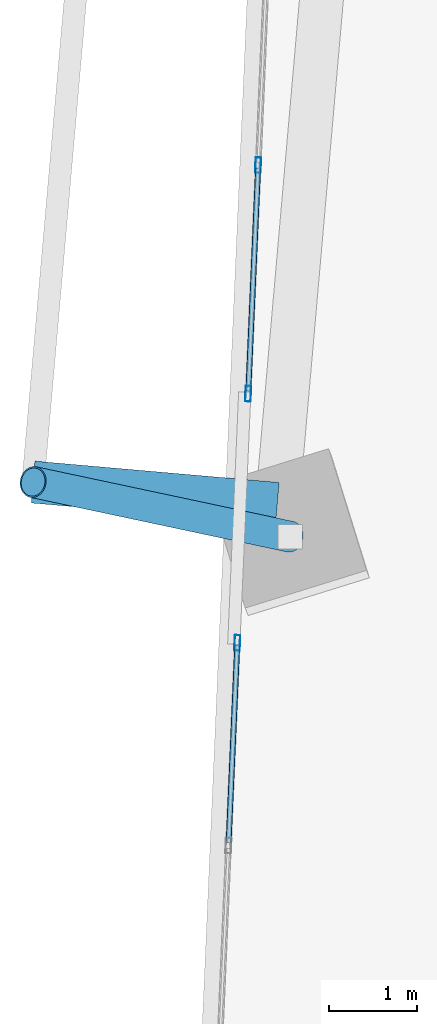
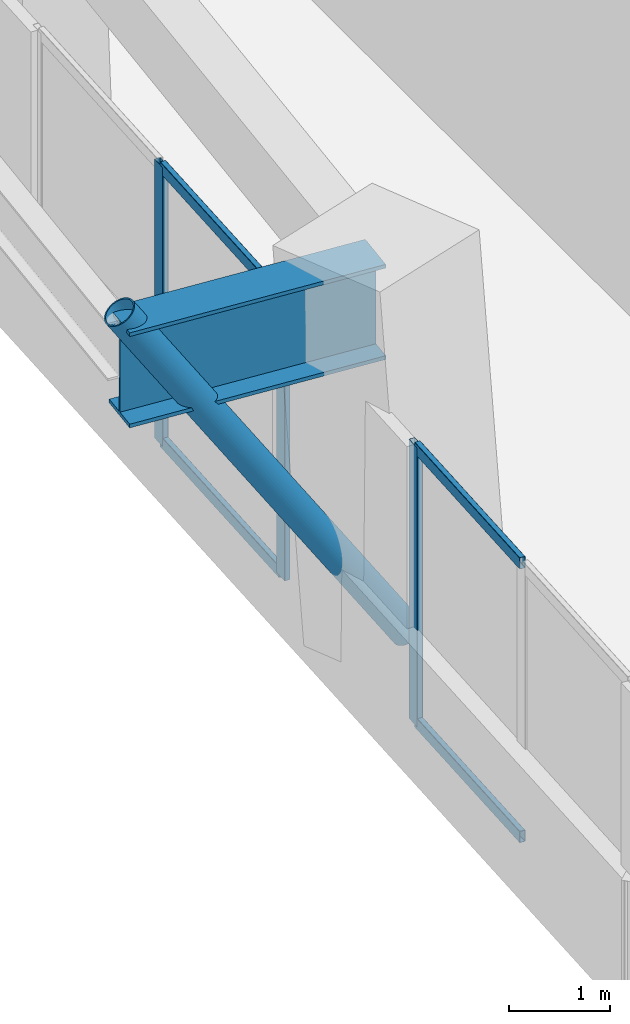
# One storey, part 4 of 26: 8 members, 1 beam, 2 elements without a shape of their own.
"""IFC4 building model written with IfcOpenShell, lengths in metres."""

import ifcopenshell
import ifcopenshell.guid

model = None  # the IFC model being written
_history = None  # IfcOwnerHistory: only IFC2X3 demands one
_inside = {}  # id of a spatial element -> (the spatial element, [elements in it])
_under = {}  # id of a project, library or spatial element -> (it, [spatial elements below it])
_declared = {}  # id of a project -> (the project, [libraries it declares])
_typed = {}  # id of a type object -> (the type object, [elements of that type])
_made_of = {}  # id of a material, layer set ... -> (it, [elements and type objects made of it])


def new_model(schema):
    """Start an empty IFC model of exactly this schema.

    Asked for "IFC4X3", IfcOpenShell would pick the latest addendum, in which some entities
    have other attributes; the version numbers below select the first issue.
    IFC2X3 requires an IfcOwnerHistory on every rooted entity: one is made here for all.
    """
    global model, _history
    if schema == "IFC4X3":
        model = ifcopenshell.file(schema_version=(4, 3, 0, 0))
    else:
        model = ifcopenshell.file(schema=schema)
    _inside.clear()
    _under.clear()
    _declared.clear()
    _typed.clear()
    _made_of.clear()
    _history = None
    if model.schema == "IFC2X3":
        org = make("IfcOrganization", Name="unknown")
        user = make(
            "IfcPersonAndOrganization",
            ThePerson=make("IfcPerson", FamilyName="unknown"),
            TheOrganization=org,
        )
        app = make(
            "IfcApplication",
            ApplicationDeveloper=org,
            Version="unknown",
            ApplicationFullName="unknown",
            ApplicationIdentifier="unknown",
        )
        _history = make(
            "IfcOwnerHistory",
            OwningUser=user,
            OwningApplication=app,
            ChangeAction="ADDED",
            CreationDate=0,
        )
    return model


def make(cls, **values):
    """One entity of the class cls with the attributes given. An attribute that is None is left unset."""
    return model.create_entity(
        cls, **{name: value for name, value in values.items() if value is not None}
    )


def rooted(cls, **values):
    """An entity with a GlobalId (a new one), such as an element, a storey or a relation."""
    return make(cls, GlobalId=ifcopenshell.guid.new(), OwnerHistory=_history, **values)


def si_unit(unit_type, name, prefix=None):
    """IfcSIUnit, for example si_unit("LENGTHUNIT", "METRE", prefix="MILLI")."""
    return make("IfcSIUnit", UnitType=unit_type, Prefix=prefix, Name=name)


def assignment(units):
    """IfcUnitAssignment: the units of a project."""
    return None if units is None else make("IfcUnitAssignment", Units=units)


def point(xyz):
    """IfcCartesianPoint."""
    return None if xyz is None else make("IfcCartesianPoint", Coordinates=xyz)


def direction(xyz):
    """IfcDirection."""
    return None if xyz is None else make("IfcDirection", DirectionRatios=xyz)


def frame(location, z_axis=None, x_axis=None):
    """IfcAxis2Placement3D, a coordinate frame: its origin and axes. An axis left out is left unset."""
    return make(
        "IfcAxis2Placement3D",
        Location=point(location),
        Axis=direction(z_axis),
        RefDirection=direction(x_axis),
    )


def frame_2d(location, x_axis=None):
    """IfcAxis2Placement2D, a coordinate frame in the plane: its origin and x axis."""
    return make(
        "IfcAxis2Placement2D", Location=point(location), RefDirection=direction(x_axis)
    )


def origin():
    """The frame at (0, 0, 0) with its axes left unset."""
    return frame((0.0, 0.0, 0.0))


def origin_2d():
    """The frame at (0, 0) in the plane with its x axis left unset."""
    return frame_2d((0.0, 0.0))


def place(relative_to, where):
    """IfcLocalPlacement: puts the frame where relative to a parent placement (None: the world)."""
    return make(
        "IfcLocalPlacement", PlacementRelTo=relative_to, RelativePlacement=where
    )


def context(
    kind, dimensions, precision=None, world=None, true_north=None, identifier=None
):
    """IfcGeometricRepresentationContext, for example the 3D "Model" context."""
    return make(
        "IfcGeometricRepresentationContext",
        ContextIdentifier=identifier,
        ContextType=kind,
        CoordinateSpaceDimension=dimensions,
        Precision=precision,
        WorldCoordinateSystem=world,
        TrueNorth=true_north,
    )


def subcontext(parent, identifier, kind, view, scale=None):
    """IfcGeometricRepresentationSubContext, for example "Body" below "Model"."""
    return make(
        "IfcGeometricRepresentationSubContext",
        ContextIdentifier=identifier,
        ContextType=kind,
        ParentContext=parent,
        TargetScale=scale,
        TargetView=view,
    )


def project(units=None, contexts=None):
    """IfcProject with its units and contexts."""
    return rooted(
        "IfcProject",
        Name="project",
        RepresentationContexts=contexts,
        UnitsInContext=assignment(units),
    )


def spatial(cls, under=None, at=None, **own):
    """A site, building, storey or space (cls), placed at a placement, below another one or the project."""
    s = rooted(cls, ObjectPlacement=at, **own)
    if under is not None:
        _under.setdefault(under.id(), (under, []))[1].append(s)
    return s


def profile(cls, at=None, kind="AREA", **sizes):
    """A parametric profile (cls). Its sizes go by their IFC names, for example OverallWidth=200.0."""
    return make(cls, ProfileType=kind, Position=at, **sizes)


def hollow_rectangle(**sizes):
    """IfcRectangleHollowProfileDef."""
    return profile("IfcRectangleHollowProfileDef", **sizes)


def hollow_circle(**sizes):
    """IfcCircleHollowProfileDef."""
    return profile("IfcCircleHollowProfileDef", **sizes)


def i_section(**sizes):
    """IfcIShapeProfileDef."""
    return profile("IfcIShapeProfileDef", **sizes)


def extrude(swept, where, along, depth):
    """IfcExtrudedAreaSolid: the profile swept, set in the frame where, extruded along a direction by depth."""
    return make(
        "IfcExtrudedAreaSolid",
        SweptArea=swept,
        Position=where,
        ExtrudedDirection=direction(along),
        Depth=depth,
    )


def shape(context_of_items, identifier, shape_type, items):
    """IfcShapeRepresentation: the items that make up one representation, for example the "Body"."""
    return make(
        "IfcShapeRepresentation",
        ContextOfItems=context_of_items,
        RepresentationIdentifier=identifier,
        RepresentationType=shape_type,
        Items=items,
    )


def source(mapping_origin, context_of_items, identifier, shape_type, items):
    """IfcRepresentationMap: a shape defined once, which mapped items show again and again."""
    return make(
        "IfcRepresentationMap",
        MappingOrigin=mapping_origin,
        MappedRepresentation=shape(context_of_items, identifier, shape_type, items),
    )


def transform(
    local_origin,
    x_axis=None,
    y_axis=None,
    z_axis=None,
    scale=None,
    scale2=None,
    scale3=None,
    uniform=True,
):
    """IfcCartesianTransformationOperator3D, or its non-uniform kind. x_axis, y_axis, z_axis: its Axis1, 2, 3."""
    if uniform:
        return make(
            "IfcCartesianTransformationOperator3D",
            Axis1=direction(x_axis),
            Axis2=direction(y_axis),
            LocalOrigin=point(local_origin),
            Scale=scale,
            Axis3=direction(z_axis),
        )
    return make(
        "IfcCartesianTransformationOperator3DnonUniform",
        Axis1=direction(x_axis),
        Axis2=direction(y_axis),
        LocalOrigin=point(local_origin),
        Scale=scale,
        Axis3=direction(z_axis),
        Scale2=scale2,
        Scale3=scale3,
    )


def mapped(mapping_source, mapping_target):
    """IfcMappedItem: shows the shape of a source again, moved by a transform."""
    return make(
        "IfcMappedItem", MappingSource=mapping_source, MappingTarget=mapping_target
    )


def material(Name=None, Category=None):
    """IfcMaterial."""
    return make("IfcMaterial", Name=Name, Category=Category)


def material_profile(
    of_material, cross_section, Name=None, Category=None, Priority=None
):
    """IfcMaterialProfile: a cross section and its material."""
    return make(
        "IfcMaterialProfile",
        Name=Name,
        Material=of_material,
        Profile=cross_section,
        Priority=Priority,
        Category=Category,
    )


def profile_set(profiles, Name=None, composite=None):
    """IfcMaterialProfileSet."""
    return make(
        "IfcMaterialProfileSet",
        Name=Name,
        MaterialProfiles=profiles,
        CompositeProfile=composite,
    )


def made_of(thing, what):
    """Note that an element or type object is made of a material, layer set ...; save() writes the relation."""
    if what is not None:
        _made_of.setdefault(what.id(), (what, []))[1].append(thing)
    return thing


def type_object(cls, material=None, **own):
    """A type object (cls), such as IfcWallType, which elements share."""
    return made_of(rooted(cls, **own), material)


def element(
    cls,
    number,
    at=None,
    inside=None,
    cuts=None,
    type_object=None,
    material=None,
    context=None,
    identifier="Body",
    shape_type=None,
    held_by="IfcProductDefinitionShape",
    body=None,
    shapes=None,
    **own,
):
    """One element of the class cls, such as IfcWall. Its Tag is "e" and its number.

    at: its placement. inside: the storey or other place that contains it. cuts: it is an
    opening in that element (IfcRelVoidsElement). A single representation is given by context,
    identifier, shape_type and body (its items); several are given by shapes. held_by: the class
    of the entity that holds the representations. save() writes the other relations.
    """
    e = rooted(cls, Tag="e%d" % number, ObjectPlacement=at, **own)
    if body is not None:
        shapes = [shape(context, identifier, shape_type, body)]
    if shapes is not None:
        e.Representation = make(held_by, Representations=shapes)
    if inside is not None:
        _inside.setdefault(inside.id(), (inside, []))[1].append(e)
    if cuts is not None:
        rooted(
            "IfcRelVoidsElement", RelatingBuildingElement=cuts, RelatedOpeningElement=e
        )
    if type_object is not None:
        _typed.setdefault(type_object.id(), (type_object, []))[1].append(e)
    return made_of(e, material)


def aggregate(whole, parts):
    """IfcRelAggregates: a whole, such as a stair, and the parts it consists of."""
    return rooted("IfcRelAggregates", RelatingObject=whole, RelatedObjects=parts)


def save(model, path):
    """Write the relations noted so far, then the file.

    IfcRelAggregates (storeys below a building ...), IfcRelContainedInSpatialStructure (elements
    in a storey), IfcRelDefinesByType, IfcRelAssociatesMaterial and IfcRelDeclares: one each for
    every whole, place, type object, material and project.
    """
    for whole, parts in _under.values():
        aggregate(whole, parts)
    for where, things in _inside.values():
        rooted(
            "IfcRelContainedInSpatialStructure",
            RelatedElements=things,
            RelatingStructure=where,
        )
    for kind, things in _typed.values():
        rooted("IfcRelDefinesByType", RelatedObjects=things, RelatingType=kind)
    for what, things in _made_of.values():
        rooted("IfcRelAssociatesMaterial", RelatedObjects=things, RelatingMaterial=what)
    for by, libraries in _declared.values():
        rooted("IfcRelDeclares", RelatingContext=by, RelatedDefinitions=libraries)
    model.write(path)


model = new_model("IFC4")

# Units and contexts
model_context = context("Model", 3, precision=1e-05, world=origin(), true_north=direction((0.0, 1.0)))
body_context = subcontext(model_context, "Body", "Model", "MODEL_VIEW")
ifc_project = project(units=[si_unit("LENGTHUNIT", "METRE"), si_unit("AREAUNIT", "SQUARE_METRE"), si_unit("VOLUMEUNIT", "CUBIC_METRE"), si_unit("PLANEANGLEUNIT", "RADIAN"), si_unit("MASSUNIT", "GRAM", prefix="KILO")], contexts=[model_context])

# Site, building, storey
site_placement = place(None, origin())
site = spatial("IfcSite", under=ifc_project, at=site_placement, CompositionType="ELEMENT")
building_placement = place(site_placement, origin())
building = spatial("IfcBuilding", under=site, at=building_placement, Name="Torre Montelarca", CompositionType="ELEMENT")
storey_placement = place(building_placement, frame((0.0, 0.0, 42.39990234375)))
storey = spatial("IfcBuildingStorey", under=building, at=storey_placement, Name="L09", CompositionType="ELEMENT", Elevation=42.39990234375)

# Member
ifc_material_1 = material(Name="Steel ASTM A500 Grade C", Category="steel")
ifc_material_profile_1 = material_profile(ifc_material_1, hollow_circle(Radius=0.177734375, WallThickness=0.015869140625, at=origin_2d()), Name="HSS355.6X15.9", Category="steel")
ifc_profile_set_1 = profile_set([ifc_material_profile_1], Name="Steel ASTM A500 Grade C")
member_type_1 = type_object("IfcMemberType", Name="MB-BR-CHS356-EXT", PredefinedType="BRACE", material=ifc_profile_set_1)
shared_shape_1 = source(origin(), body_context, "Body", "SweptSolid", [
    extrude(hollow_circle(Radius=0.177734375, WallThickness=0.015869140625, at=origin_2d()), origin(), (0.0, 0.0, 1.0), 5.417236328125),
])
member_1_placement = place(storey_placement, frame((4.162841796875, 25.119140625, 0.150146484375), z_axis=(-0.541852942141, 0.11519388839, 0.832541745002), x_axis=(-0.207945352867, -0.978140445039, 0.0)))
element("IfcMember", 1, at=member_1_placement, inside=storey, type_object=member_type_1, Name="L10 Sliding Tray Exterior Diagonal Raker Strut W1", PredefinedType="BRACE", context=body_context, shape_type="MappedRepresentation", body=[
    mapped(shared_shape_1, transform((0.0, 0.0, 0.0), scale=1.0)),
])

# Beam
ifc_material_2 = material(Name="Steel ASTM A572 Grade 50", Category="steel")
ifc_material_profile_2 = material_profile(ifc_material_2, i_section(OverallWidth=0.47998046875, OverallDepth=1.14990234375, WebThickness=0.02197265625, FlangeThickness=0.044921875, at=origin_2d()), Name="PG1150X480X22X45", Category="steel")
ifc_profile_set_2 = profile_set([ifc_material_profile_2], Name="Steel ASTM A572 Grade 50")
beam_type = type_object("IfcBeamType", Name="BM-CG-PG1400-EXT", PredefinedType="USERDEFINED", material=ifc_profile_set_2)
shared_shape_2 = source(origin(), body_context, "Body", "SweptSolid", [
    extrude(i_section(OverallWidth=0.47998046875, OverallDepth=1.14990234375, WebThickness=0.02197265625, FlangeThickness=0.044921875, at=origin_2d()), origin(), (0.0, 0.0, 1.0), 2.800048828125),
])
beam_placement = place(storey_placement, frame((4.016845703125, 25.4990234375, 3.985107421875), z_axis=(-0.996191351034, 0.087193991338, 0.0), x_axis=(-0.087193991338, -0.996191351034, 0.0)))
element("IfcBeam", 2, at=beam_placement, inside=storey, type_object=beam_type, Name="L09 Sliding Tray Cantilever Girder West Y=24.0m (FLR)", ObjectType="CANTILEVER GIRDER", PredefinedType="USERDEFINED", context=body_context, shape_type="MappedRepresentation", body=[
    mapped(shared_shape_2, transform((0.0, 0.0, 0.0), scale=1.0)),
])

# Curtain wall, members
ifc_material_3 = material(Name="Insulated low-E laminated glass", Category="glass")
curtain_wall_type = type_object("IfcCurtainWallType", Name="CW-SYS-Z1", PredefinedType="USERDEFINED", material=ifc_material_3)
curtain_wall_1_placement = place(storey_placement, origin())
curtain_wall_1 = element("IfcCurtainWall", 3, at=curtain_wall_1_placement, inside=storey, type_object=curtain_wall_type, Name="L09 Curtain Wall Run CW-T3-L09-E10-B2", ObjectType="UNITISED GLAZING", PredefinedType="USERDEFINED")
ifc_material_4 = material(Name="Anodised aluminium AA 6063-T6", Category="aluminium")
ifc_material_profile_3 = material_profile(ifc_material_4, hollow_rectangle(XDim=0.06494140625, YDim=0.179931640625, WallThickness=0.00390625, InnerFilletRadius=0.00390625, OuterFilletRadius=0.008056640625, at=origin_2d()), Name="ALU65X180X4", Category="aluminium")
ifc_profile_set_3 = profile_set([ifc_material_profile_3], Name="Anodised aluminium AA 6063-T6")
member_type_2 = type_object("IfcMemberType", Name="CWM-ALU180", PredefinedType="MULLION", material=ifc_profile_set_3)
shared_shape_3 = source(origin(), body_context, "Body", "SweptSolid", [
    extrude(hollow_rectangle(XDim=0.06494140625, YDim=0.179931640625, WallThickness=0.00390625, InnerFilletRadius=0.00390625, OuterFilletRadius=0.008056640625, at=origin_2d()), origin(), (0.0, 0.0, 1.0), 3.375),
])
member_2_placement = place(storey_placement, frame((3.798095703125, 29.3623046875, 0.0), z_axis=(0.0, 0.0, 1.0), x_axis=(0.999047793858, -0.04362918275, 0.0)))
member_2 = element("IfcMember", 4, at=member_2_placement, type_object=member_type_2, Name="CW mullion 2", PredefinedType="MULLION", context=body_context, shape_type="MappedRepresentation", body=[
    mapped(shared_shape_3, transform((0.0, 0.0, 0.0), scale=1.0)),
])
member_3_placement = place(storey_placement, frame((3.68408203125, 26.752197265625, 0.0), z_axis=(0.0, 0.0, 1.0), x_axis=(0.999047793858, -0.04362918275, 0.0)))
member_3 = element("IfcMember", 5, at=member_3_placement, type_object=member_type_2, Name="CW mullion 3", PredefinedType="MULLION", context=body_context, shape_type="MappedRepresentation", body=[
    mapped(shared_shape_3, transform((0.0, 0.0, 0.0), scale=1.0)),
])

# Curtain wall, member
curtain_wall_2_placement = place(storey_placement, origin())
curtain_wall_2 = element("IfcCurtainWall", 6, at=curtain_wall_2_placement, inside=storey, type_object=curtain_wall_type, Name="L09 Curtain Wall Run CW-T3-L09-E10-B3", ObjectType="UNITISED GLAZING", PredefinedType="USERDEFINED")
member_4_placement = place(storey_placement, frame((3.559814453125, 23.90673828125, 0.0), z_axis=(0.0, 0.0, 1.0), x_axis=(0.999048714906, -0.043608086929, 0.0)))
member_4 = element("IfcMember", 7, at=member_4_placement, type_object=member_type_2, Name="CW mullion 1", PredefinedType="MULLION", context=body_context, shape_type="MappedRepresentation", body=[
    mapped(shared_shape_3, transform((0.0, 0.0, 0.0), scale=1.0)),
])

# Member
ifc_material_profile_4 = material_profile(ifc_material_4, hollow_rectangle(XDim=0.06494140625, YDim=0.139892578125, WallThickness=0.00390625, InnerFilletRadius=0.00390625, OuterFilletRadius=0.008056640625, at=origin_2d()), Name="ALU65X140X4", Category="aluminium")
ifc_profile_set_4 = profile_set([ifc_material_profile_4], Name="Anodised aluminium AA 6063-T6")
member_type_3 = type_object("IfcMemberType", Name="CWT-ALU140", PredefinedType="USERDEFINED", material=ifc_profile_set_4)
shared_shape_4 = source(origin(), body_context, "Body", "SweptSolid", [
    extrude(hollow_rectangle(XDim=0.06494140625, YDim=0.139892578125, WallThickness=0.00390625, InnerFilletRadius=0.00390625, OuterFilletRadius=0.008056640625, at=origin_2d()), origin(), (0.0, 0.0, 1.0), 2.547607421875),
])
member_5_placement = place(storey_placement, frame((3.796630859375, 29.329833984375, 0.03271484375), z_axis=(-0.043603573613, -0.9990489119, 0.0), x_axis=(0.9990489119, -0.043603573613, 0.0)))
member_5 = element("IfcMember", 8, at=member_5_placement, type_object=member_type_3, Name="CW transom 2.1", ObjectType="TRANSOM", PredefinedType="USERDEFINED", context=body_context, shape_type="MappedRepresentation", body=[
    mapped(shared_shape_4, transform((0.0, 0.0, 0.0), scale=1.0)),
])

member_6_placement = place(storey_placement, frame((3.796630859375, 29.329833984375, 3.342529296875), z_axis=(-0.043603573613, -0.9990489119, 0.0), x_axis=(0.9990489119, -0.043603573613, 0.0)))
member_6 = element("IfcMember", 9, at=member_6_placement, type_object=member_type_3, Name="CW transom 2.2", ObjectType="TRANSOM", PredefinedType="USERDEFINED", context=body_context, shape_type="MappedRepresentation", body=[
    mapped(shared_shape_4, transform((0.0, 0.0, 0.0), scale=1.0)),
])

aggregate(curtain_wall_1, [member_2, member_3, member_5, member_6])

shared_shape_5 = source(origin(), body_context, "Body", "SweptSolid", [
    extrude(hollow_rectangle(XDim=0.06494140625, YDim=0.139892578125, WallThickness=0.00390625, InnerFilletRadius=0.00390625, OuterFilletRadius=0.008056640625, at=origin_2d()), origin(), (0.0, 0.0, 1.0), 2.251708984375),
])
member_7_placement = place(storey_placement, frame((3.558349609375, 23.874267578125, 0.03271484375), z_axis=(-0.043587794593, -0.999049600452, 0.0), x_axis=(0.999049600452, -0.043587794593, 0.0)))
member_7 = element("IfcMember", 10, at=member_7_placement, type_object=member_type_3, Name="CW transom 1.1", ObjectType="TRANSOM", PredefinedType="USERDEFINED", context=body_context, shape_type="MappedRepresentation", body=[
    mapped(shared_shape_5, transform((0.0, 0.0, 0.0), scale=1.0)),
])

member_8_placement = place(storey_placement, frame((3.558349609375, 23.874267578125, 3.342529296875), z_axis=(-0.043587794593, -0.999049600452, 0.0), x_axis=(0.999049600452, -0.043587794593, 0.0)))
member_8 = element("IfcMember", 11, at=member_8_placement, type_object=member_type_3, Name="CW transom 1.2", ObjectType="TRANSOM", PredefinedType="USERDEFINED", context=body_context, shape_type="MappedRepresentation", body=[
    mapped(shared_shape_5, transform((0.0, 0.0, 0.0), scale=1.0)),
])

aggregate(curtain_wall_2, [member_4, member_7, member_8])

save(model, "model.ifc")
